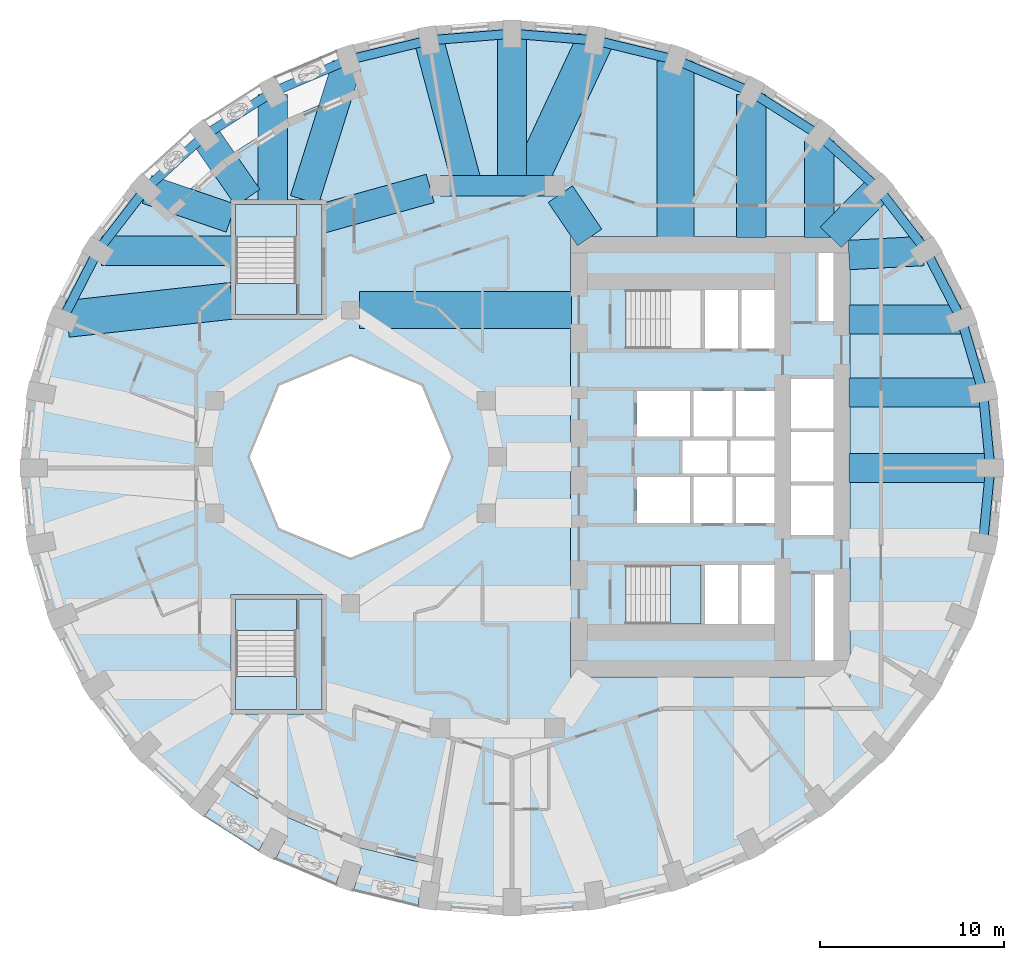
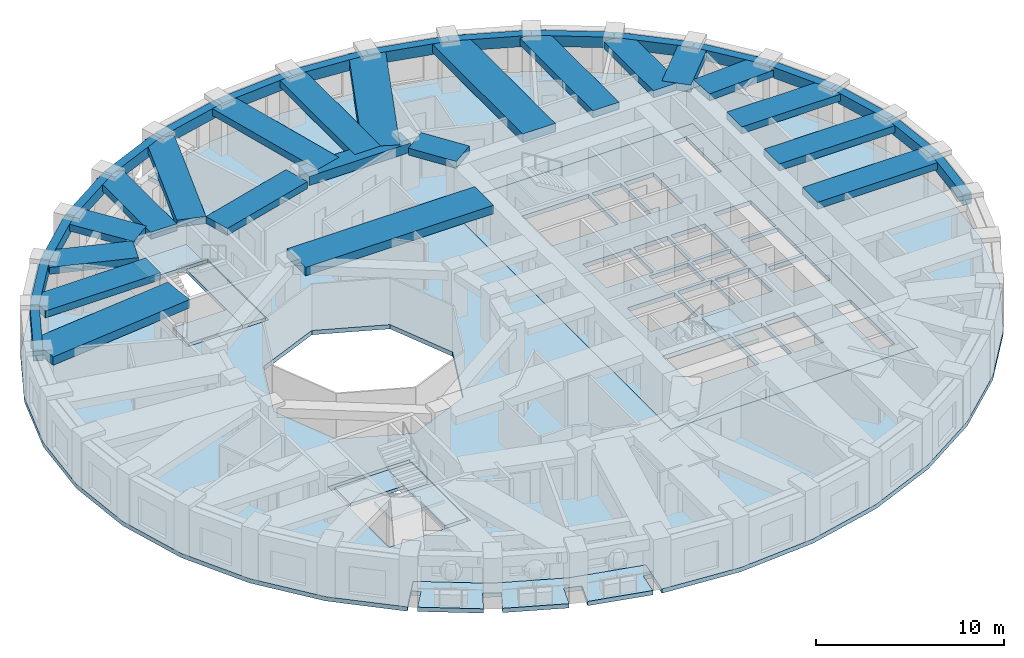
# One storey, part 2 of 12: 38 beams, 10 slabs, 3 elements without a shape of their own.
"""IFC4 building model written with IfcOpenShell, lengths in metres."""

from ifc_helpers import new_model, si_unit, direction, frame, origin, origin_2d, place, context, subcontext, project, spatial, polyline, rectangle, outline, extrude, material, layer, layer_set, material_profile, profile_set, type_object, element, aggregate, save


model = new_model("IFC4")

# Units and contexts
model_context = context("Model", 3, precision=1e-05, world=origin(), true_north=direction((0.0, 1.0)))
body_context = subcontext(model_context, "Body", "Model", "MODEL_VIEW")
ifc_project = project(units=[si_unit("LENGTHUNIT", "METRE"), si_unit("AREAUNIT", "SQUARE_METRE"), si_unit("VOLUMEUNIT", "CUBIC_METRE"), si_unit("PLANEANGLEUNIT", "RADIAN"), si_unit("MASSUNIT", "GRAM", prefix="KILO")], contexts=[model_context])

# Site, building, storey
site_placement = place(None, origin())
site = spatial("IfcSite", under=ifc_project, at=site_placement, CompositionType="ELEMENT")
building_placement = place(site_placement, origin())
building = spatial("IfcBuilding", under=site, at=building_placement, Name="Taillehof Tower", CompositionType="ELEMENT")
storey_placement = place(building_placement, frame((0.0, 0.0, 125.199951171875)))
storey = spatial("IfcBuildingStorey", under=building, at=storey_placement, Name="L35", CompositionType="ELEMENT", Elevation=125.199951171875)

# Beams
ifc_material_1 = material(Name="Concrete C50/60", Category="concrete")
ifc_material_profile_1 = material_profile(ifc_material_1, rectangle(XDim=1.10009765625, YDim=0.60009765625, at=origin_2d()), Name="RC 1100x600")
ifc_profile_set_1 = profile_set([ifc_material_profile_1], Name="Concrete C50/60")
beam_type_1 = type_object("IfcBeamType", Name="Mid-ring beam C50/60 1100x600", PredefinedType="BEAM", material=ifc_profile_set_1)
beam_1_placement = place(storey_placement, frame((3.125732421875, 14.772216796875, 2.719970703125), z_axis=(-1.0, 0.0, 0.0), x_axis=(0.0, -1.0, 0.0)))
element("IfcBeam", 1, at=beam_1_placement, inside=storey, type_object=beam_type_1, Name="Mid-ring beam MB01", PredefinedType="BEAM", context=body_context, shape_type="SweptSolid", body=[
    extrude(rectangle(XDim=1.10009765625, YDim=0.60009765625, at=origin_2d()), origin(), (0.0, 0.0, 1.0), 6.25146484375),
])
ifc_material_2 = material(Name="Concrete C50/60", Category="concrete")
ifc_material_profile_2 = material_profile(ifc_material_2, rectangle(XDim=1.60009765625, YDim=0.449951171875, at=origin_2d()), Name="RC 1600x450")
ifc_profile_set_2 = profile_set([ifc_material_profile_2], Name="Concrete C50/60")
beam_type_2 = type_object("IfcBeamType", Name="Radial band beam C50/60 1600x450", PredefinedType="BEAM", material=ifc_profile_set_2)
beam_2_placement = place(storey_placement, frame((26.85009765625, -0.60009765625, 2.795166015625), z_axis=(-1.0, 0.0, 0.0), x_axis=(0.0, -1.0, 0.0)))
element("IfcBeam", 2, at=beam_2_placement, inside=storey, type_object=beam_type_2, Name="Radial band beam RB01", PredefinedType="BEAM", context=body_context, shape_type="SweptSolid", body=[
    extrude(rectangle(XDim=1.60009765625, YDim=0.449951171875, at=origin_2d()), origin(), (0.0, 0.0, 1.0), 7.7001953125),
])
beam_3_placement = place(storey_placement, frame((26.454345703125, 3.5068359375, 2.795166015625), z_axis=(-1.0, 0.0, 0.0), x_axis=(0.0, -1.0, 0.0)))
element("IfcBeam", 3, at=beam_3_placement, inside=storey, type_object=beam_type_2, Name="Radial band beam RB02", PredefinedType="BEAM", context=body_context, shape_type="SweptSolid", body=[
    extrude(rectangle(XDim=1.60009765625, YDim=0.449951171875, at=origin_2d()), origin(), (0.0, 0.0, 1.0), 7.304443359375),
])
beam_4_placement = place(storey_placement, frame((25.2275390625, 7.48876953125, 2.795166015625), z_axis=(-1.0, 0.0, 0.0), x_axis=(0.0, -1.0, 0.0)))
element("IfcBeam", 4, at=beam_4_placement, inside=storey, type_object=beam_type_2, Name="Radial band beam RB03", PredefinedType="BEAM", context=body_context, shape_type="SweptSolid", body=[
    extrude(rectangle(XDim=1.60009765625, YDim=0.449951171875, at=origin_2d()), origin(), (0.0, 0.0, 1.0), 6.07763671875),
])
beam_5_placement = place(storey_placement, frame((23.197021484375, 11.21630859375, 2.795166015625), z_axis=(-0.998539024739, -0.054035322466, 0.0), x_axis=(0.054035322466, -0.998539024739, 0.0)))
element("IfcBeam", 5, at=beam_5_placement, inside=storey, type_object=beam_type_2, Name="Radial band beam RB04", PredefinedType="BEAM", context=body_context, shape_type="SweptSolid", body=[
    extrude(rectangle(XDim=1.60009765625, YDim=0.449951171875, at=origin_2d()), origin(), (0.0, 0.0, 1.0), 4.052734375),
])
beam_6_placement = place(storey_placement, frame((20.75537109375, 14.60205078125, 2.795166015625), z_axis=(-0.700671998657, -0.713483531903, 0.0), x_axis=(0.713483531903, -0.700671998657, 0.0)))
element("IfcBeam", 6, at=beam_6_placement, inside=storey, type_object=beam_type_2, Name="Radial band beam RB05", PredefinedType="BEAM", context=body_context, shape_type="SweptSolid", body=[
    extrude(rectangle(XDim=1.60009765625, YDim=0.449951171875, at=origin_2d()), origin(), (0.0, 0.0, 1.0), 3.697021484375),
])
beam_7_placement = place(storey_placement, frame((17.544677734375, 17.2216796875, 2.795166015625), z_axis=(0.0, -1.0, 0.0), x_axis=(1.0, 0.0, 0.0)))
element("IfcBeam", 7, at=beam_7_placement, inside=storey, type_object=beam_type_2, Name="Radial band beam RB06", PredefinedType="BEAM", context=body_context, shape_type="SweptSolid", body=[
    extrude(rectangle(XDim=1.60009765625, YDim=0.449951171875, at=origin_2d()), origin(), (0.0, 0.0, 1.0), 5.271728515625),
])
beam_8_placement = place(storey_placement, frame((13.824951171875, 19.744384765625, 2.795166015625), z_axis=(0.0, -1.0, 0.0), x_axis=(1.0, 0.0, 0.0)))
element("IfcBeam", 8, at=beam_8_placement, inside=storey, type_object=beam_type_2, Name="Radial band beam RB07", PredefinedType="BEAM", context=body_context, shape_type="SweptSolid", body=[
    extrude(rectangle(XDim=1.60009765625, YDim=0.449951171875, at=origin_2d()), origin(), (0.0, 0.0, 1.0), 7.79443359375),
])
beam_9_placement = place(storey_placement, frame((0.800048828125, 23.050048828125, 2.795166015625), z_axis=(0.0, -1.0, 0.0), x_axis=(1.0, 0.0, 0.0)))
element("IfcBeam", 9, at=beam_9_placement, inside=storey, type_object=beam_type_2, Name="Radial band beam RB10", PredefinedType="BEAM", context=body_context, shape_type="SweptSolid", body=[
    extrude(rectangle(XDim=1.60009765625, YDim=0.449951171875, at=origin_2d()), origin(), (0.0, 0.0, 1.0), 8.27783203125),
])
beam_10_placement = place(storey_placement, frame((-3.7236328125, 22.690673828125, 2.795166015625), z_axis=(0.256102263642, -0.966649693817, 0.0), x_axis=(0.966649693817, 0.256102263642, 0.0)))
element("IfcBeam", 10, at=beam_10_placement, inside=storey, type_object=beam_type_2, Name="Radial band beam RB11", PredefinedType="BEAM", context=body_context, shape_type="SweptSolid", body=[
    extrude(rectangle(XDim=1.60009765625, YDim=0.449951171875, at=origin_2d()), origin(), (0.0, 0.0, 1.0), 8.191650390625),
])
beam_11_placement = place(storey_placement, frame((-8.189453125, 21.369140625, 2.795166015625), z_axis=(-0.299184997435, -0.954195125386, 0.0), x_axis=(0.954195125386, -0.299184997435, 0.0)))
element("IfcBeam", 11, at=beam_11_placement, inside=storey, type_object=beam_type_2, Name="Radial band beam RB12", PredefinedType="BEAM", context=body_context, shape_type="SweptSolid", body=[
    extrude(rectangle(XDim=1.60009765625, YDim=0.449951171875, at=origin_2d()), origin(), (0.0, 0.0, 1.0), 7.728515625),
])
beam_12_placement = place(storey_placement, frame((-12.22509765625, 19.744384765625, 2.795166015625), z_axis=(0.0, -1.0, 0.0), x_axis=(1.0, 0.0, 0.0)))
element("IfcBeam", 12, at=beam_12_placement, inside=storey, type_object=beam_type_2, Name="Radial band beam RB13", PredefinedType="BEAM", context=body_context, shape_type="SweptSolid", body=[
    extrude(rectangle(XDim=1.60009765625, YDim=0.449951171875, at=origin_2d()), origin(), (0.0, 0.0, 1.0), 5.79443359375),
])
beam_13_placement = place(storey_placement, frame((-15.944580078125, 17.516845703125, 2.795166015625), z_axis=(0.570763290366, -0.821114648737, 0.0), x_axis=(0.821114648737, 0.570763290366, 0.0)))
element("IfcBeam", 13, at=beam_13_placement, inside=storey, type_object=beam_type_2, Name="Radial band beam RB14", PredefinedType="BEAM", context=body_context, shape_type="SweptSolid", body=[
    extrude(rectangle(XDim=1.60009765625, YDim=0.449951171875, at=origin_2d()), origin(), (0.0, 0.0, 1.0), 4.1328125),
])
beam_14_placement = place(storey_placement, frame((-19.080810546875, 14.576171875, 2.795166015625), z_axis=(0.945583195076, -0.325380425334, 0.0), x_axis=(0.325380425334, 0.945583195076, 0.0)))
element("IfcBeam", 14, at=beam_14_placement, inside=storey, type_object=beam_type_2, Name="Radial band beam RB15", PredefinedType="BEAM", context=body_context, shape_type="SweptSolid", body=[
    extrude(rectangle(XDim=1.60009765625, YDim=0.449951171875, at=origin_2d()), origin(), (0.0, 0.0, 1.0), 4.83349609375),
])
beam_15_placement = place(storey_placement, frame((-21.54736328125, 11.22509765625, 2.795166015625), z_axis=(1.0, 0.0, 0.0), x_axis=(0.0, 1.0, 0.0)))
element("IfcBeam", 15, at=beam_15_placement, inside=storey, type_object=beam_type_2, Name="Radial band beam RB16", PredefinedType="BEAM", context=body_context, shape_type="SweptSolid", body=[
    extrude(rectangle(XDim=1.60009765625, YDim=0.449951171875, at=origin_2d()), origin(), (0.0, 0.0, 1.0), 7.097412109375),
])
beam_16_placement = place(storey_placement, frame((3.433837890625, 14.31640625, 2.795166015625), z_axis=(0.560112043398, -0.828416862962, 0.0), x_axis=(0.828416862962, 0.560112043398, 0.0)))
element("IfcBeam", 16, at=beam_16_placement, inside=storey, type_object=beam_type_2, Name="Inner band beam IB205", PredefinedType="BEAM", context=body_context, shape_type="SweptSolid", body=[
    extrude(rectangle(XDim=1.60009765625, YDim=0.449951171875, at=origin_2d()), origin(), (0.0, 0.0, 1.0), 2.84619140625),
])
beam_17_placement = place(storey_placement, frame((-3.655517578125, 14.624755859375, 2.795166015625), z_axis=(-0.963459369536, -0.267854518821, 0.0), x_axis=(0.267854518821, -0.963459369536, 0.0)))
element("IfcBeam", 17, at=beam_17_placement, inside=storey, type_object=beam_type_2, Name="Inner band beam IB206", PredefinedType="BEAM", context=body_context, shape_type="SweptSolid", body=[
    extrude(rectangle(XDim=1.60009765625, YDim=0.449951171875, at=origin_2d()), origin(), (0.0, 0.0, 1.0), 6.096923828125),
])
ifc_material_3 = material(Name="Concrete C50/60", Category="concrete")
ifc_material_profile_3 = material_profile(ifc_material_3, rectangle(XDim=2.0, YDim=0.550048828125, at=origin_2d()), Name="RC 2000x550")
ifc_profile_set_3 = profile_set([ifc_material_profile_3], Name="Concrete C50/60")
beam_type_3 = type_object("IfcBeamType", Name="Radial band beam C50/60 2000x550", PredefinedType="BEAM", material=ifc_profile_set_3)
beam_18_placement = place(storey_placement, frame((9.709716796875, 21.556640625, 2.7451171875), z_axis=(0.0, -1.0, 0.0), x_axis=(1.0, 0.0, 0.0)))
element("IfcBeam", 18, at=beam_18_placement, inside=storey, type_object=beam_type_3, Name="Radial band beam RB08", PredefinedType="BEAM", context=body_context, shape_type="SweptSolid", body=[
    extrude(rectangle(XDim=2.0, YDim=0.550048828125, at=origin_2d()), origin(), (0.0, 0.0, 1.0), 9.606689453125),
])
beam_19_placement = place(storey_placement, frame((5.312744140625, 22.66748046875, 2.7451171875), z_axis=(-0.423126261145, -0.90607072965, 0.0), x_axis=(0.90607072965, -0.423126261145, 0.0)))
element("IfcBeam", 19, at=beam_19_placement, inside=storey, type_object=beam_type_3, Name="Radial band beam RB09", PredefinedType="BEAM", context=body_context, shape_type="SweptSolid", body=[
    extrude(rectangle(XDim=2.0, YDim=0.550048828125, at=origin_2d()), origin(), (0.0, 0.0, 1.0), 8.713623046875),
])
beam_20_placement = place(storey_placement, frame((-23.42919921875, 7.516357421875, 2.7451171875), z_axis=(0.993988424713, 0.109485211499, 0.0), x_axis=(-0.109485211499, 0.993988424713, 0.0)))
element("IfcBeam", 20, at=beam_20_placement, inside=storey, type_object=beam_type_3, Name="Radial band beam RB17", PredefinedType="BEAM", context=body_context, shape_type="SweptSolid", body=[
    extrude(rectangle(XDim=2.0, YDim=0.550048828125, at=origin_2d()), origin(), (0.0, 0.0, 1.0), 9.033203125),
])
beam_21_placement = place(storey_placement, frame((-7.5, 8.0, 2.7451171875), z_axis=(1.0, 0.0, 0.0), x_axis=(0.0, 1.0, 0.0)))
element("IfcBeam", 21, at=beam_21_placement, inside=storey, type_object=beam_type_3, Name="Inner band beam IB105", PredefinedType="BEAM", context=body_context, shape_type="SweptSolid", body=[
    extrude(rectangle(XDim=2.0, YDim=0.550048828125, at=origin_2d()), origin(), (0.0, 0.0, 1.0), 11.550048828125),
])
ifc_material_4 = material(Name="Concrete C50/60", Category="concrete")
ifc_material_profile_4 = material_profile(ifc_material_4, rectangle(XDim=0.5, YDim=0.699951171875, at=origin_2d()), Name="RC 500x700")
ifc_profile_set_4 = profile_set([ifc_material_profile_4], Name="Concrete C50/60")
beam_type_4 = type_object("IfcBeamType", Name="Spandrel beam C50/60 500x700", PredefinedType="SPANDREL", material=ifc_profile_set_4)
beam_22_placement = place(storey_placement, frame((26.85009765625, -0.60009765625, 2.670166015625), z_axis=(-0.095917608943, 0.995389276763, 0.0), x_axis=(-0.995389276763, -0.095917608943, 0.0)))
element("IfcBeam", 22, at=beam_22_placement, inside=storey, type_object=beam_type_4, Name="Spandrel beam SB01", PredefinedType="SPANDREL", context=body_context, shape_type="SweptSolid", body=[
    extrude(rectangle(XDim=0.5, YDim=0.699951171875, at=origin_2d()), origin(), (0.0, 0.0, 1.0), 4.1259765625),
])
beam_23_placement = place(storey_placement, frame((26.454345703125, 3.5068359375, 2.670166015625), z_axis=(-0.28308309012, 0.95909538842, 0.0), x_axis=(-0.95909538842, -0.28308309012, 0.0)))
element("IfcBeam", 23, at=beam_23_placement, inside=storey, type_object=beam_type_4, Name="Spandrel beam SB02", PredefinedType="SPANDREL", context=body_context, shape_type="SweptSolid", body=[
    extrude(rectangle(XDim=0.5, YDim=0.699951171875, at=origin_2d()), origin(), (0.0, 0.0, 1.0), 4.15185546875),
])
beam_24_placement = place(storey_placement, frame((25.279052734375, 7.48876953125, 2.670166015625), z_axis=(-0.456905372708, 0.88951530644, 0.0), x_axis=(-0.88951530644, -0.456905372708, 0.0)))
element("IfcBeam", 24, at=beam_24_placement, inside=storey, type_object=beam_type_4, Name="Spandrel beam SB03", PredefinedType="SPANDREL", context=body_context, shape_type="SweptSolid", body=[
    extrude(rectangle(XDim=0.5, YDim=0.699951171875, at=origin_2d()), origin(), (0.0, 0.0, 1.0), 4.200439453125),
])
beam_25_placement = place(storey_placement, frame((23.35986328125, 11.22509765625, 2.670166015625), z_axis=(-0.61071731561, 0.79184869793, 0.0), x_axis=(-0.79184869793, -0.61071731561, 0.0)))
element("IfcBeam", 25, at=beam_25_placement, inside=storey, type_object=beam_type_4, Name="Spandrel beam SB04", PredefinedType="SPANDREL", context=body_context, shape_type="SweptSolid", body=[
    extrude(rectangle(XDim=0.5, YDim=0.699951171875, at=origin_2d()), origin(), (0.0, 0.0, 1.0), 4.2646484375),
])
beam_26_placement = place(storey_placement, frame((20.75537109375, 14.60205078125, 2.670166015625), z_axis=(-0.740400998917, 0.672165426665, 0.0), x_axis=(-0.672165426665, -0.740400998917, 0.0)))
element("IfcBeam", 26, at=beam_26_placement, inside=storey, type_object=beam_type_4, Name="Spandrel beam SB05", PredefinedType="SPANDREL", context=body_context, shape_type="SweptSolid", body=[
    extrude(rectangle(XDim=0.5, YDim=0.699951171875, at=origin_2d()), origin(), (0.0, 0.0, 1.0), 4.33642578125),
])
beam_27_placement = place(storey_placement, frame((17.544677734375, 17.516845703125, 2.670166015625), z_axis=(-0.843903157847, 0.536495536027, 0.0), x_axis=(-0.536495536027, -0.843903157847, 0.0)))
element("IfcBeam", 27, at=beam_27_placement, inside=storey, type_object=beam_type_4, Name="Spandrel beam SB06", PredefinedType="SPANDREL", context=body_context, shape_type="SweptSolid", body=[
    extrude(rectangle(XDim=0.5, YDim=0.699951171875, at=origin_2d()), origin(), (0.0, 0.0, 1.0), 4.40771484375),
])
beam_28_placement = place(storey_placement, frame((13.824951171875, 19.881591796875, 2.670166015625), z_axis=(-0.920876744153, 0.389853847074, 0.0), x_axis=(-0.389853847074, -0.920876744153, 0.0)))
element("IfcBeam", 28, at=beam_28_placement, inside=storey, type_object=beam_type_4, Name="Spandrel beam SB07", PredefinedType="SPANDREL", context=body_context, shape_type="SweptSolid", body=[
    extrude(rectangle(XDim=0.5, YDim=0.699951171875, at=origin_2d()), origin(), (0.0, 0.0, 1.0), 4.46875),
])
beam_29_placement = place(storey_placement, frame((9.709716796875, 21.623779296875, 2.670166015625), z_axis=(-0.971668945916, 0.23634605887, 0.0), x_axis=(-0.23634605887, -0.971668945916, 0.0)))
element("IfcBeam", 29, at=beam_29_placement, inside=storey, type_object=beam_type_4, Name="Spandrel beam SB08", PredefinedType="SPANDREL", context=body_context, shape_type="SweptSolid", body=[
    extrude(rectangle(XDim=0.5, YDim=0.699951171875, at=origin_2d()), origin(), (0.0, 0.0, 1.0), 4.51416015625),
])
beam_30_placement = place(storey_placement, frame((5.323486328125, 22.690673828125, 2.670166015625), z_axis=(-0.996858923208, 0.079197772828, 0.0), x_axis=(-0.079197772828, -0.996858923208, 0.0)))
element("IfcBeam", 30, at=beam_30_placement, inside=storey, type_object=beam_type_4, Name="Spandrel beam SB09", PredefinedType="SPANDREL", context=body_context, shape_type="SweptSolid", body=[
    extrude(rectangle(XDim=0.5, YDim=0.699951171875, at=origin_2d()), origin(), (0.0, 0.0, 1.0), 4.53759765625),
])
beam_31_placement = place(storey_placement, frame((0.800048828125, 23.050048828125, 2.670166015625), z_axis=(-0.996859260648, -0.079193525375, 0.0), x_axis=(0.079193525375, -0.996859260648, 0.0)))
element("IfcBeam", 31, at=beam_31_placement, inside=storey, type_object=beam_type_4, Name="Spandrel beam SB10", PredefinedType="SPANDREL", context=body_context, shape_type="SweptSolid", body=[
    extrude(rectangle(XDim=0.5, YDim=0.699951171875, at=origin_2d()), origin(), (0.0, 0.0, 1.0), 4.537841796875),
])
beam_32_placement = place(storey_placement, frame((-3.7236328125, 22.690673828125, 2.670166015625), z_axis=(-0.971665924588, -0.236358479847, 0.0), x_axis=(0.236358479847, -0.971665924588, 0.0)))
element("IfcBeam", 32, at=beam_32_placement, inside=storey, type_object=beam_type_4, Name="Spandrel beam SB11", PredefinedType="SPANDREL", context=body_context, shape_type="SweptSolid", body=[
    extrude(rectangle(XDim=0.5, YDim=0.699951171875, at=origin_2d()), origin(), (0.0, 0.0, 1.0), 4.513916015625),
])
beam_33_placement = place(storey_placement, frame((-8.109619140625, 21.623779296875, 2.670166015625), z_axis=(-0.920885046825, -0.389834234688, 0.0), x_axis=(0.389834234688, -0.920885046825, 0.0)))
element("IfcBeam", 33, at=beam_33_placement, inside=storey, type_object=beam_type_4, Name="Spandrel beam SB12", PredefinedType="SPANDREL", context=body_context, shape_type="SweptSolid", body=[
    extrude(rectangle(XDim=0.5, YDim=0.699951171875, at=origin_2d()), origin(), (0.0, 0.0, 1.0), 4.468994140625),
])
beam_34_placement = place(storey_placement, frame((-12.22509765625, 19.881591796875, 2.670166015625), z_axis=(-0.843887214322, -0.536520614239, 0.0), x_axis=(0.536520614239, -0.843887214322, 0.0)))
element("IfcBeam", 34, at=beam_34_placement, inside=storey, type_object=beam_type_4, Name="Spandrel beam SB13", PredefinedType="SPANDREL", context=body_context, shape_type="SweptSolid", body=[
    extrude(rectangle(XDim=0.5, YDim=0.699951171875, at=origin_2d()), origin(), (0.0, 0.0, 1.0), 4.407470703125),
])
beam_35_placement = place(storey_placement, frame((-15.944580078125, 17.516845703125, 2.670166015625), z_axis=(-0.740426434014, -0.672137408432, 0.0), x_axis=(0.672137408432, -0.740426434014, 0.0)))
element("IfcBeam", 35, at=beam_35_placement, inside=storey, type_object=beam_type_4, Name="Spandrel beam SB14", PredefinedType="SPANDREL", context=body_context, shape_type="SweptSolid", body=[
    extrude(rectangle(XDim=0.5, YDim=0.699951171875, at=origin_2d()), origin(), (0.0, 0.0, 1.0), 4.336669921875),
])
beam_36_placement = place(storey_placement, frame((-19.155517578125, 14.60205078125, 2.670166015625), z_axis=(-0.61071731561, -0.79184869793, 0.0), x_axis=(0.79184869793, -0.61071731561, 0.0)))
element("IfcBeam", 36, at=beam_36_placement, inside=storey, type_object=beam_type_4, Name="Spandrel beam SB15", PredefinedType="SPANDREL", context=body_context, shape_type="SweptSolid", body=[
    extrude(rectangle(XDim=0.5, YDim=0.699951171875, at=origin_2d()), origin(), (0.0, 0.0, 1.0), 4.2646484375),
])
beam_37_placement = place(storey_placement, frame((-21.760009765625, 11.22509765625, 2.670166015625), z_axis=(-0.456859381733, -0.889538928503, 0.0), x_axis=(0.889538928503, -0.456859381733, 0.0)))
element("IfcBeam", 37, at=beam_37_placement, inside=storey, type_object=beam_type_4, Name="Spandrel beam SB16", PredefinedType="SPANDREL", context=body_context, shape_type="SweptSolid", body=[
    extrude(rectangle(XDim=0.5, YDim=0.699951171875, at=origin_2d()), origin(), (0.0, 0.0, 1.0), 4.2001953125),
])
beam_38_placement = place(storey_placement, frame((26.454345703125, -4.706787109375, 2.670166015625), z_axis=(0.09592325873, 0.995388732323, 0.0), x_axis=(-0.995388732323, 0.09592325873, 0.0)))
element("IfcBeam", 38, at=beam_38_placement, inside=storey, type_object=beam_type_4, Name="Spandrel beam SB36", PredefinedType="SPANDREL", context=body_context, shape_type="SweptSolid", body=[
    extrude(rectangle(XDim=0.5, YDim=0.699951171875, at=origin_2d()), origin(), (0.0, 0.0, 1.0), 4.125732421875),
])

# Slabs
ifc_material_5 = material(Name="Concrete C40/50", Category="concrete")
ifc_layer_1 = layer(ifc_material_5, 0.280029296875)
ifc_layer_set_1 = layer_set([ifc_layer_1], Name="Balcony slab 280")
slab_type_1 = type_object("IfcSlabType", Name="Balcony slab 280", PredefinedType="USERDEFINED", material=ifc_layer_set_1)
slab_1_placement = place(storey_placement, frame((0.0, 0.0, -0.280029296875)))
element("IfcSlab", 39, at=slab_1_placement, inside=storey, type_object=slab_type_1, Name="Balcony L35 pocket 7", ObjectType="BALCONY", PredefinedType="USERDEFINED", context=body_context, shape_type="SweptSolid", body=[
    extrude(outline(polyline([(-3.473388671875, -22.259765625), (-3.615966796875, -23.1484375), (-4.098388671875, -23.071044921875), (-4.329833984375, -24.51318359375), (-7.857666015625, -23.652587890625), (-7.399169921875, -22.26904296875), (-8.348388671875, -21.95458984375), (-8.807861328125, -23.341064453125), (-12.11083984375, -21.938720703125), (-11.433349609375, -20.650390625), (-12.318603515625, -20.18505859375), (-12.998046875, -21.477294921875), (-15.974609375, -19.579833984375), (-15.092041015625, -18.424560546875), (-15.5166015625, -18.10009765625), (-14.9697265625, -17.38427734375), (-11.4833984375, -19.606689453125), (-7.611328125, -21.250244140625), (-3.473388671875, -22.259765625)])), origin(), (0.0, 0.0, 1.0), 0.280029296875),
])
ifc_material_6 = material(Name="Concrete C40/50", Category="concrete")
ifc_layer_2 = layer(ifc_material_6, 0.280029296875)
ifc_layer_set_2 = layer_set([ifc_layer_2], Name="Core floor slab C40/50 280")
slab_type_2 = type_object("IfcSlabType", Name="Core floor slab C40/50 280", PredefinedType="FLOOR", material=ifc_layer_set_2)
slab_2_placement = place(storey_placement, frame((0.0, 0.0, -0.280029296875)))
element("IfcSlab", 40, at=slab_2_placement, inside=storey, type_object=slab_type_2, Name="Core floor L35", PredefinedType="FLOOR", context=body_context, shape_type="SweptSolid", body=[
    extrude(outline(polyline([(4.0, -12.0), (4.0, 12.0), (19.199951171875, 12.0), (19.199951171875, -12.0), (4.0, -12.0)]), holes=[polyline([(7.00048828125, -9.10009765625), (11.10009765625, -9.10009765625), (11.10009765625, -5.89990234375), (7.00048828125, -5.89990234375), (7.00048828125, -9.10009765625)]), polyline([(13.10009765625, -9.10009765625), (13.10009765625, -5.89990234375), (11.300048828125, -5.89990234375), (11.300048828125, -9.10009765625), (13.10009765625, -9.10009765625)]), polyline([(10.5, -3.60009765625), (10.5, -1.10009765625), (7.60009765625, -1.10009765625), (7.60009765625, -3.60009765625), (10.5, -3.60009765625)]), polyline([(12.800048828125, -3.60009765625), (12.800048828125, -1.10009765625), (10.699951171875, -1.10009765625), (10.699951171875, -3.60009765625), (12.800048828125, -3.60009765625)]), polyline([(12.5, -0.89990234375), (12.5, 0.89990234375), (10.10009765625, 0.89990234375), (10.10009765625, -0.89990234375), (12.5, -0.89990234375)]), polyline([(15.10009765625, -0.89990234375), (15.10009765625, 0.89990234375), (12.699951171875, 0.89990234375), (12.699951171875, -0.89990234375), (15.10009765625, -0.89990234375)]), polyline([(10.5, 1.10009765625), (10.5, 3.60009765625), (7.60009765625, 3.60009765625), (7.60009765625, 1.10009765625), (10.5, 1.10009765625)]), polyline([(10.699951171875, 1.10009765625), (12.800048828125, 1.10009765625), (12.800048828125, 3.60009765625), (10.699951171875, 3.60009765625), (10.699951171875, 1.10009765625)]), polyline([(11.300048828125, 5.89990234375), (13.10009765625, 5.89990234375), (13.10009765625, 9.10009765625), (11.300048828125, 9.10009765625), (11.300048828125, 5.89990234375)]), polyline([(11.10009765625, 5.89990234375), (11.10009765625, 9.10009765625), (7.00048828125, 9.10009765625), (7.00048828125, 5.89990234375), (11.10009765625, 5.89990234375)]), polyline([(18.300048828125, -11.10009765625), (18.300048828125, -6.39990234375), (17.300048828125, -6.39990234375), (17.300048828125, -11.10009765625), (18.300048828125, -11.10009765625)]), polyline([(15.10009765625, -9.10009765625), (15.10009765625, -5.89990234375), (13.300048828125, -5.89990234375), (13.300048828125, -9.10009765625), (15.10009765625, -9.10009765625)]), polyline([(16.0, -4.25), (18.300048828125, -4.25), (18.300048828125, -1.550048828125), (16.0, -1.550048828125), (16.0, -4.25)]), polyline([(13.0, -3.60009765625), (15.10009765625, -3.60009765625), (15.10009765625, -1.10009765625), (13.0, -1.10009765625), (13.0, -3.60009765625)]), polyline([(18.300048828125, -1.35009765625), (18.300048828125, 1.35009765625), (16.0, 1.35009765625), (16.0, -1.35009765625), (18.300048828125, -1.35009765625)]), polyline([(15.10009765625, 1.10009765625), (15.10009765625, 3.60009765625), (13.0, 3.60009765625), (13.0, 1.10009765625), (15.10009765625, 1.10009765625)]), polyline([(18.300048828125, 1.550048828125), (18.300048828125, 4.25), (16.0, 4.25), (16.0, 1.550048828125), (18.300048828125, 1.550048828125)]), polyline([(13.300048828125, 5.89990234375), (15.10009765625, 5.89990234375), (15.10009765625, 9.10009765625), (13.300048828125, 9.10009765625), (13.300048828125, 5.89990234375)]), polyline([(17.5, 7.39990234375), (18.300048828125, 7.39990234375), (18.300048828125, 11.10009765625), (17.5, 11.10009765625), (17.5, 7.39990234375)])]), origin(), (0.0, 0.0, 1.0), 0.280029296875),
])
ifc_material_7 = material(Name="Concrete C40/50", Category="concrete")
ifc_layer_3 = layer(ifc_material_7, 0.280029296875)
ifc_layer_set_3 = layer_set([ifc_layer_3], Name="Floor slab 280")
slab_type_3 = type_object("IfcSlabType", Name="Floor slab 280", PredefinedType="FLOOR", material=ifc_layer_set_3)
slab_3_placement = place(storey_placement, frame((0.0, 0.0, -0.280029296875)))
element("IfcSlab", 41, at=slab_3_placement, inside=storey, type_object=slab_type_3, Name="Floor slab L35", PredefinedType="FLOOR", context=body_context, shape_type="SweptSolid", body=[
    extrude(outline(polyline([(27.60009765625, -0.60009765625), (27.19287109375, 3.636962890625), (25.98388671875, 7.745361328125), (24.009521484375, 11.60009765625), (21.330078125, 15.083984375), (18.026611328125, 18.091552734375), (14.199951171875, 20.531005859375), (9.966064453125, 22.32861328125), (5.453857421875, 23.42919921875), (0.800048828125, 23.800048828125), (-3.853759765625, 23.42919921875), (-8.3662109375, 22.32861328125), (-7.611083984375, 20.05029296875), (-11.4833984375, 18.406494140625), (-14.9697265625, 16.184326171875), (-17.965087890625, 13.45751953125), (-19.72998046875, 15.083984375), (-22.409423828125, 11.60009765625), (-24.3837890625, 7.745361328125), (-25.5927734375, 3.636962890625), (-26.0, -0.60009765625), (-25.5927734375, -4.8369140625), (-24.3837890625, -8.9453125), (-22.409423828125, -12.800048828125), (-19.72998046875, -16.283935546875), (-16.4267578125, -19.29150390625), (-14.9697265625, -17.38427734375), (-11.4833984375, -19.606689453125), (-7.611083984375, -21.250244140625), (-3.473388671875, -22.259765625), (-3.853759765625, -24.62939453125), (0.800048828125, -25.0), (5.453857421875, -24.62939453125), (9.966064453125, -23.528564453125), (14.199951171875, -21.73095703125), (18.026611328125, -19.29150390625), (21.330078125, -16.283935546875), (24.009521484375, -12.800048828125), (25.98388671875, -8.9453125), (27.19287109375, -4.8369140625), (27.60009765625, -0.60009765625)]), holes=[polyline([(-14.5, -7.5), (-9.5, -7.5), (-9.5, -14.0), (-14.5, -14.0), (-14.5, -7.5)]), polyline([(-8.0, -5.5), (-11.88916015625, -3.88916015625), (-13.5, 0.0), (-11.88916015625, 3.88916015625), (-8.0, 5.5), (-4.11083984375, 3.88916015625), (-2.5, 0.0), (-4.11083984375, -3.88916015625), (-8.0, -5.5)]), polyline([(19.199951171875, 12.0), (19.199951171875, -12.0), (4.0, -12.0), (4.0, 12.0), (19.199951171875, 12.0)]), polyline([(-14.5, 14.0), (-9.5, 14.0), (-9.5, 7.5), (-14.5, 7.5), (-14.5, 14.0)])]), origin(), (0.0, 0.0, 1.0), 0.280029296875),
])

# Stair, slab
ifc_material_8 = material(Name="Concrete C40/50", Category="concrete")
stair_type = type_object("IfcStairType", Name="Exit stair half-turn", PredefinedType="HALF_TURN_STAIR", material=ifc_material_8)
stair_1_placement = place(storey_placement, origin())
stair_1 = element("IfcStair", 42, at=stair_1_placement, inside=storey, type_object=stair_type, Name="Exit stair S2", PredefinedType="HALF_TURN_STAIR")
ifc_material_9 = material(Name="Concrete C40/50", Category="concrete")
ifc_layer_4 = layer(ifc_material_9, 0.2099609375)
ifc_layer_set_4 = layer_set([ifc_layer_4], Name="Stair landing C40/50 210")
slab_type_4 = type_object("IfcSlabType", Name="Stair landing C40/50 210", PredefinedType="LANDING", material=ifc_layer_set_4)
slab_4_placement = place(storey_placement, frame((0.0, 0.0, 1.43994140625)))
slab_4 = element("IfcSlab", 43, at=slab_4_placement, type_object=slab_type_4, Name="S2 landing 1", PredefinedType="LANDING", context=body_context, shape_type="SweptSolid", body=[
    extrude(outline(polyline([(9.429931640625, -5.89990234375), (11.10009765625, -5.89990234375), (11.10009765625, -9.10009765625), (9.429931640625, -9.10009765625), (9.429931640625, -5.89990234375)])), origin(), (0.0, 0.0, 1.0), 0.210205078125),
])
aggregate(stair_1, [slab_4])

stair_2_placement = place(storey_placement, origin())
stair_2 = element("IfcStair", 44, at=stair_2_placement, inside=storey, type_object=stair_type, Name="Exit stair S3", PredefinedType="HALF_TURN_STAIR")
slab_5_placement = place(storey_placement, frame((0.0, 0.0, 1.43994140625)))
slab_5 = element("IfcSlab", 45, at=slab_5_placement, type_object=slab_type_4, Name="S3 landing 1", PredefinedType="LANDING", context=body_context, shape_type="SweptSolid", body=[
    extrude(outline(polyline([(-14.25, 11.969970703125), (-14.25, 13.75), (-10.949951171875, 13.75), (-10.949951171875, 11.969970703125), (-14.25, 11.969970703125)])), origin(), (0.0, 0.0, 1.0), 0.210205078125),
])
aggregate(stair_2, [slab_5])

stair_3_placement = place(storey_placement, origin())
stair_3 = element("IfcStair", 46, at=stair_3_placement, inside=storey, type_object=stair_type, Name="Exit stair S4", PredefinedType="HALF_TURN_STAIR")
slab_6_placement = place(storey_placement, frame((0.0, 0.0, 1.43994140625)))
slab_6 = element("IfcSlab", 47, at=slab_6_placement, type_object=slab_type_4, Name="S4 landing 1", PredefinedType="LANDING", context=body_context, shape_type="SweptSolid", body=[
    extrude(outline(polyline([(-14.25, -11.969970703125), (-14.25, -13.75), (-10.949951171875, -13.75), (-10.949951171875, -11.969970703125), (-14.25, -11.969970703125)])), origin(), (0.0, 0.0, 1.0), 0.210205078125),
])
aggregate(stair_3, [slab_6])

# Slabs
slab_7_placement = place(storey_placement, frame((0.0, 0.0, -0.2099609375)))
element("IfcSlab", 48, at=slab_7_placement, inside=storey, type_object=slab_type_4, Name="Stair S3 floor landing", PredefinedType="LANDING", context=body_context, shape_type="SweptSolid", body=[
    extrude(outline(polyline([(-14.25, 7.75), (-14.25, 9.449951171875), (-10.949951171875, 9.449951171875), (-10.949951171875, 7.75), (-14.25, 7.75)])), origin(), (0.0, 0.0, 1.0), 0.2099609375),
])
slab_8_placement = place(storey_placement, frame((0.0, 0.0, -0.2099609375)))
element("IfcSlab", 49, at=slab_8_placement, inside=storey, type_object=slab_type_4, Name="Stair lobby S3 floor", PredefinedType="LANDING", context=body_context, shape_type="SweptSolid", body=[
    extrude(outline(polyline([(-10.949951171875, 7.75), (-9.550048828125, 7.75), (-9.550048828125, 13.75), (-10.949951171875, 13.75), (-10.949951171875, 7.75)])), origin(), (0.0, 0.0, 1.0), 0.2099609375),
])
slab_9_placement = place(storey_placement, frame((0.0, 0.0, -0.2099609375)))
element("IfcSlab", 50, at=slab_9_placement, inside=storey, type_object=slab_type_4, Name="Stair S4 floor landing", PredefinedType="LANDING", context=body_context, shape_type="SweptSolid", body=[
    extrude(outline(polyline([(-14.25, -7.75), (-14.25, -9.449951171875), (-10.949951171875, -9.449951171875), (-10.949951171875, -7.75), (-14.25, -7.75)])), origin(), (0.0, 0.0, 1.0), 0.2099609375),
])
slab_10_placement = place(storey_placement, frame((0.0, 0.0, -0.2099609375)))
element("IfcSlab", 51, at=slab_10_placement, inside=storey, type_object=slab_type_4, Name="Stair lobby S4 floor", PredefinedType="LANDING", context=body_context, shape_type="SweptSolid", body=[
    extrude(outline(polyline([(-10.949951171875, -13.75), (-9.550048828125, -13.75), (-9.550048828125, -7.75), (-10.949951171875, -7.75), (-10.949951171875, -13.75)])), origin(), (0.0, 0.0, 1.0), 0.2099609375),
])

save(model, "model.ifc")
